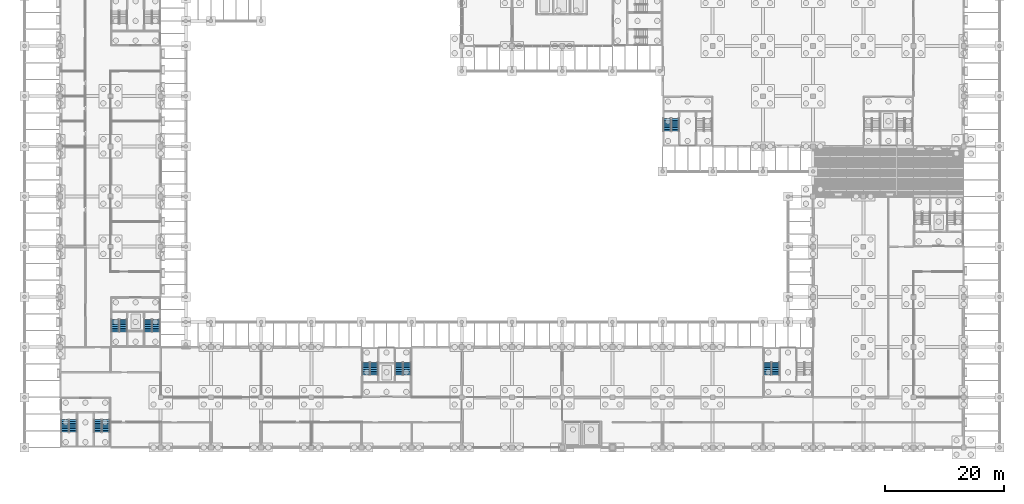
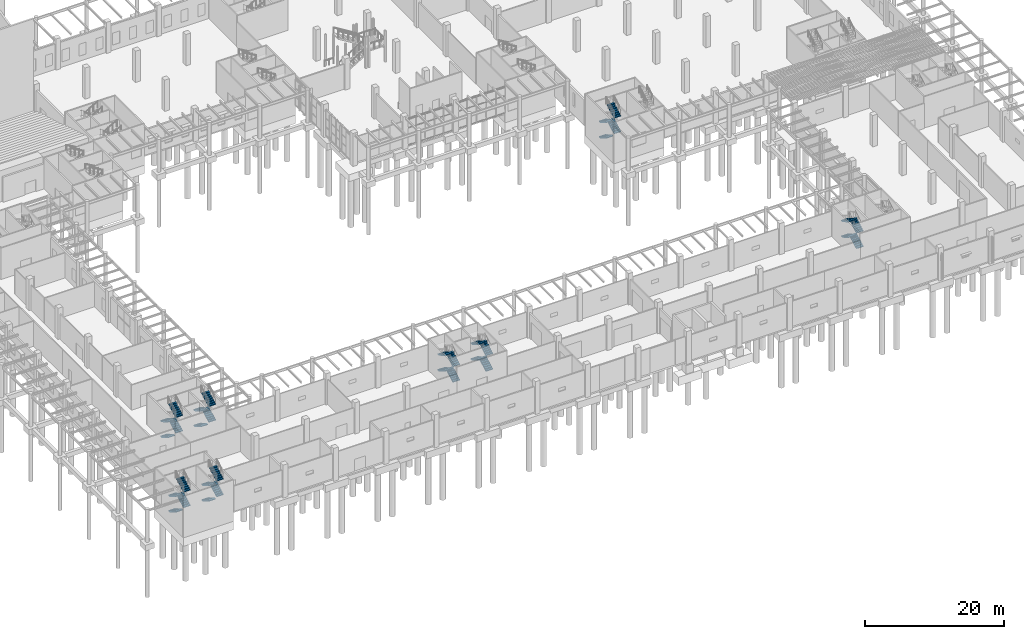
# One storey, part 44 of 82: 32 stair flights, 8 elements without a shape of their own.
"""IFC4 building model written with IfcOpenShell, lengths in metres."""

from ifc_helpers import new_model, si_unit, direction, frame, origin, place, context, subcontext, project, spatial, polyline, outline, extrude, material, type_object, element, aggregate, save


model = new_model("IFC4")

# Units and contexts
model_context = context("Model", 3, precision=1e-05, world=origin(), true_north=direction((0.0, 1.0)))
body_context = subcontext(model_context, "Body", "Model", "MODEL_VIEW")
ifc_project = project(units=[si_unit("LENGTHUNIT", "METRE"), si_unit("AREAUNIT", "SQUARE_METRE"), si_unit("VOLUMEUNIT", "CUBIC_METRE"), si_unit("PLANEANGLEUNIT", "RADIAN"), si_unit("MASSUNIT", "GRAM", prefix="KILO")], contexts=[model_context])

# Site, building, storey
site_placement = place(None, origin())
site = spatial("IfcSite", under=ifc_project, at=site_placement, CompositionType="ELEMENT")
building_placement = place(site_placement, origin())
building = spatial("IfcBuilding", under=site, at=building_placement, Name="Almond Square Museum", CompositionType="ELEMENT")
storey_placement = place(building_placement, origin())
storey = spatial("IfcBuildingStorey", under=building, at=storey_placement, Name="L00", CompositionType="ELEMENT", Elevation=0.0)

# Stair, stair flights
ifc_material_1 = material(Name="Concrete C40/50", Category="concrete")
stair_type = type_object("IfcStairType", Name="Exit stair 32 risers of 172 mm", PredefinedType="HALF_TURN_STAIR", material=ifc_material_1)
stair_1_placement = place(storey_placement, origin())
stair_1 = element("IfcStair", 1, at=stair_1_placement, inside=storey, type_object=stair_type, Name="L00 stair H1-1", PredefinedType="HALF_TURN_STAIR")
ifc_material_2 = material(Name="Concrete C40/50", Category="concrete")
stair_flight_type = type_object("IfcStairFlightType", Name="Concrete flight", PredefinedType="STRAIGHT", material=ifc_material_2)
stair_flight_1_placement = place(storey_placement, frame((107.574951171875, 55.050048828125, 0.0), z_axis=(0.0, 0.0, 1.0), x_axis=(0.0, -1.0, 0.0)))
stair_flight_1 = element("IfcStairFlight", 2, at=stair_flight_1_placement, type_object=stair_flight_type, Name="ST-01 flight 1", NumberOfRisers=8, NumberOfTreads=7, PredefinedType="STRAIGHT", RiserHeight=0.171875, TreadLength=0.3, context=body_context, shape_type="SweptSolid", body=[
    extrude(outline(polyline([(0.0, 0.0), (0.0, 0.171875), (0.300048828125, 0.171875), (0.300048828125, 0.34375), (0.60009765625, 0.34375), (0.60009765625, 0.515625), (0.89990234375, 0.515625), (0.89990234375, 0.6875), (1.199951171875, 0.6875), (1.199951171875, 0.859375), (1.5, 0.859375), (1.5, 1.03125), (1.800048828125, 1.03125), (1.800048828125, 1.203125), (2.10009765625, 1.203125), (2.10009765625, 1.375), (2.10009765625, 1.0302734375), (0.301513671875, 0.0), (0.0, 0.0)])), frame((0.0, 0.574951171875, 0.0), z_axis=(0.0, -1.0, 0.0), x_axis=(1.0, 0.0, 0.0)), (0.0, 0.0, 1.0), 1.14990234375),
])
stair_flight_2_placement = place(storey_placement, frame((108.925048828125, 52.949951171875, 1.375), z_axis=(0.0, 0.0, 1.0), x_axis=(0.0, 1.0, 0.0)))
stair_flight_2 = element("IfcStairFlight", 3, at=stair_flight_2_placement, type_object=stair_flight_type, Name="ST-01 flight 2", NumberOfRisers=8, NumberOfTreads=7, PredefinedType="STRAIGHT", RiserHeight=0.171875, TreadLength=0.3, context=body_context, shape_type="SweptSolid", body=[
    extrude(outline(polyline([(0.0, 0.0), (0.0, 0.171875), (0.300048828125, 0.171875), (0.300048828125, 0.34375), (0.60009765625, 0.34375), (0.60009765625, 0.515625), (0.89990234375, 0.515625), (0.89990234375, 0.6875), (1.199951171875, 0.6875), (1.199951171875, 0.859375), (1.5, 0.859375), (1.5, 1.03125), (1.800048828125, 1.03125), (1.800048828125, 1.203125), (2.10009765625, 1.203125), (2.10009765625, 1.375), (2.10009765625, 1.0302734375), (0.301513671875, 0.0), (0.0, 0.0)])), frame((0.0, 0.574951171875, 0.0), z_axis=(0.0, -1.0, 0.0), x_axis=(1.0, 0.0, 0.0)), (0.0, 0.0, 1.0), 1.14990234375),
])
stair_flight_3_placement = place(storey_placement, frame((107.574951171875, 55.050048828125, 2.75), z_axis=(0.0, 0.0, 1.0), x_axis=(0.0, -1.0, 0.0)))
stair_flight_3 = element("IfcStairFlight", 4, at=stair_flight_3_placement, type_object=stair_flight_type, Name="ST-01 flight 3", NumberOfRisers=8, NumberOfTreads=7, PredefinedType="STRAIGHT", RiserHeight=0.171875, TreadLength=0.3, context=body_context, shape_type="SweptSolid", body=[
    extrude(outline(polyline([(0.0, 0.0), (0.0, 0.171875), (0.300048828125, 0.171875), (0.300048828125, 0.34375), (0.60009765625, 0.34375), (0.60009765625, 0.515625), (0.89990234375, 0.515625), (0.89990234375, 0.6875), (1.199951171875, 0.6875), (1.199951171875, 0.859375), (1.5, 0.859375), (1.5, 1.03125), (1.800048828125, 1.03125), (1.800048828125, 1.203125), (2.10009765625, 1.203125), (2.10009765625, 1.375), (2.10009765625, 1.0302734375), (0.301513671875, 0.0), (0.0, 0.0)])), frame((0.0, 0.574951171875, 0.0), z_axis=(0.0, -1.0, 0.0), x_axis=(1.0, 0.0, 0.0)), (0.0, 0.0, 1.0), 1.14990234375),
])
stair_flight_4_placement = place(storey_placement, frame((108.925048828125, 52.949951171875, 4.125), z_axis=(0.0, 0.0, 1.0), x_axis=(0.0, 1.0, 0.0)))
stair_flight_4 = element("IfcStairFlight", 5, at=stair_flight_4_placement, type_object=stair_flight_type, Name="ST-01 flight 4", NumberOfRisers=8, NumberOfTreads=7, PredefinedType="STRAIGHT", RiserHeight=0.171875, TreadLength=0.3, context=body_context, shape_type="SweptSolid", body=[
    extrude(outline(polyline([(0.0, 0.0), (0.0, 0.171875), (0.300048828125, 0.171875), (0.300048828125, 0.34375), (0.60009765625, 0.34375), (0.60009765625, 0.515625), (0.89990234375, 0.515625), (0.89990234375, 0.6875), (1.199951171875, 0.6875), (1.199951171875, 0.859375), (1.5, 0.859375), (1.5, 1.03125), (1.800048828125, 1.03125), (1.800048828125, 1.203125), (2.10009765625, 1.203125), (2.10009765625, 1.375), (2.10009765625, 1.0302734375), (0.301513671875, 0.0), (0.0, 0.0)])), frame((0.0, 0.574951171875, 0.0), z_axis=(0.0, -1.0, 0.0), x_axis=(1.0, 0.0, 0.0)), (0.0, 0.0, 1.0), 1.14990234375),
])
aggregate(stair_1, [stair_flight_1, stair_flight_2, stair_flight_3, stair_flight_4])

stair_2_placement = place(storey_placement, origin())
stair_2 = element("IfcStair", 6, at=stair_2_placement, inside=storey, type_object=stair_type, Name="L00 stair W1-1", PredefinedType="HALF_TURN_STAIR")
stair_flight_5_placement = place(storey_placement, frame((15.175048828125, 21.449951171875, 0.0), z_axis=(0.0, 0.0, 1.0), x_axis=(0.0, -1.0, 0.0)))
stair_flight_5 = element("IfcStairFlight", 7, at=stair_flight_5_placement, type_object=stair_flight_type, Name="ST-21 flight 1", NumberOfRisers=8, NumberOfTreads=7, PredefinedType="STRAIGHT", RiserHeight=0.171875, TreadLength=0.3, context=body_context, shape_type="SweptSolid", body=[
    extrude(outline(polyline([(0.0, 0.0), (0.0, 0.171875), (0.300048828125, 0.171875), (0.300048828125, 0.34375), (0.60009765625, 0.34375), (0.60009765625, 0.515625), (0.89990234375, 0.515625), (0.89990234375, 0.6875), (1.199951171875, 0.6875), (1.199951171875, 0.859375), (1.5, 0.859375), (1.5, 1.03125), (1.800048828125, 1.03125), (1.800048828125, 1.203125), (2.10009765625, 1.203125), (2.10009765625, 1.375), (2.10009765625, 1.0302734375), (0.301513671875, 0.0), (0.0, 0.0)])), frame((0.0, 0.574951171875, 0.0), z_axis=(0.0, -1.0, 0.0), x_axis=(1.0, 0.0, 0.0)), (0.0, 0.0, 1.0), 1.14990234375),
])
stair_flight_6_placement = place(storey_placement, frame((16.52490234375, 19.35009765625, 1.375), z_axis=(0.0, 0.0, 1.0), x_axis=(0.0, 1.0, 0.0)))
stair_flight_6 = element("IfcStairFlight", 8, at=stair_flight_6_placement, type_object=stair_flight_type, Name="ST-21 flight 2", NumberOfRisers=8, NumberOfTreads=7, PredefinedType="STRAIGHT", RiserHeight=0.171875, TreadLength=0.3, context=body_context, shape_type="SweptSolid", body=[
    extrude(outline(polyline([(0.0, 0.0), (0.0, 0.171875), (0.300048828125, 0.171875), (0.300048828125, 0.34375), (0.60009765625, 0.34375), (0.60009765625, 0.515625), (0.89990234375, 0.515625), (0.89990234375, 0.6875), (1.199951171875, 0.6875), (1.199951171875, 0.859375), (1.5, 0.859375), (1.5, 1.03125), (1.800048828125, 1.03125), (1.800048828125, 1.203125), (2.10009765625, 1.203125), (2.10009765625, 1.375), (2.10009765625, 1.0302734375), (0.301513671875, 0.0), (0.0, 0.0)])), frame((0.0, 0.574951171875, 0.0), z_axis=(0.0, -1.0, 0.0), x_axis=(1.0, 0.0, 0.0)), (0.0, 0.0, 1.0), 1.14990234375),
])
stair_flight_7_placement = place(storey_placement, frame((15.175048828125, 21.449951171875, 2.75), z_axis=(0.0, 0.0, 1.0), x_axis=(0.0, -1.0, 0.0)))
stair_flight_7 = element("IfcStairFlight", 9, at=stair_flight_7_placement, type_object=stair_flight_type, Name="ST-21 flight 3", NumberOfRisers=8, NumberOfTreads=7, PredefinedType="STRAIGHT", RiserHeight=0.171875, TreadLength=0.3, context=body_context, shape_type="SweptSolid", body=[
    extrude(outline(polyline([(0.0, 0.0), (0.0, 0.171875), (0.300048828125, 0.171875), (0.300048828125, 0.34375), (0.60009765625, 0.34375), (0.60009765625, 0.515625), (0.89990234375, 0.515625), (0.89990234375, 0.6875), (1.199951171875, 0.6875), (1.199951171875, 0.859375), (1.5, 0.859375), (1.5, 1.03125), (1.800048828125, 1.03125), (1.800048828125, 1.203125), (2.10009765625, 1.203125), (2.10009765625, 1.375), (2.10009765625, 1.0302734375), (0.301513671875, 0.0), (0.0, 0.0)])), frame((0.0, 0.574951171875, 0.0), z_axis=(0.0, -1.0, 0.0), x_axis=(1.0, 0.0, 0.0)), (0.0, 0.0, 1.0), 1.14990234375),
])
stair_flight_8_placement = place(storey_placement, frame((16.52490234375, 19.35009765625, 4.125), z_axis=(0.0, 0.0, 1.0), x_axis=(0.0, 1.0, 0.0)))
stair_flight_8 = element("IfcStairFlight", 10, at=stair_flight_8_placement, type_object=stair_flight_type, Name="ST-21 flight 4", NumberOfRisers=8, NumberOfTreads=7, PredefinedType="STRAIGHT", RiserHeight=0.171875, TreadLength=0.3, context=body_context, shape_type="SweptSolid", body=[
    extrude(outline(polyline([(0.0, 0.0), (0.0, 0.171875), (0.300048828125, 0.171875), (0.300048828125, 0.34375), (0.60009765625, 0.34375), (0.60009765625, 0.515625), (0.89990234375, 0.515625), (0.89990234375, 0.6875), (1.199951171875, 0.6875), (1.199951171875, 0.859375), (1.5, 0.859375), (1.5, 1.03125), (1.800048828125, 1.03125), (1.800048828125, 1.203125), (2.10009765625, 1.203125), (2.10009765625, 1.375), (2.10009765625, 1.0302734375), (0.301513671875, 0.0), (0.0, 0.0)])), frame((0.0, 0.574951171875, 0.0), z_axis=(0.0, -1.0, 0.0), x_axis=(1.0, 0.0, 0.0)), (0.0, 0.0, 1.0), 1.14990234375),
])
aggregate(stair_2, [stair_flight_5, stair_flight_6, stair_flight_7, stair_flight_8])

stair_3_placement = place(storey_placement, origin())
stair_3 = element("IfcStair", 11, at=stair_3_placement, inside=storey, type_object=stair_type, Name="L00 stair W1-2", PredefinedType="HALF_TURN_STAIR")
stair_flight_9_placement = place(storey_placement, frame((20.675048828125, 21.449951171875, 0.0), z_axis=(0.0, 0.0, 1.0), x_axis=(0.0, -1.0, 0.0)))
stair_flight_9 = element("IfcStairFlight", 12, at=stair_flight_9_placement, type_object=stair_flight_type, Name="ST-22 flight 1", NumberOfRisers=8, NumberOfTreads=7, PredefinedType="STRAIGHT", RiserHeight=0.171875, TreadLength=0.3, context=body_context, shape_type="SweptSolid", body=[
    extrude(outline(polyline([(0.0, 0.0), (0.0, 0.171875), (0.300048828125, 0.171875), (0.300048828125, 0.34375), (0.60009765625, 0.34375), (0.60009765625, 0.515625), (0.89990234375, 0.515625), (0.89990234375, 0.6875), (1.199951171875, 0.6875), (1.199951171875, 0.859375), (1.5, 0.859375), (1.5, 1.03125), (1.800048828125, 1.03125), (1.800048828125, 1.203125), (2.10009765625, 1.203125), (2.10009765625, 1.375), (2.10009765625, 1.0302734375), (0.301513671875, 0.0), (0.0, 0.0)])), frame((0.0, 0.574951171875, 0.0), z_axis=(0.0, -1.0, 0.0), x_axis=(1.0, 0.0, 0.0)), (0.0, 0.0, 1.0), 1.14990234375),
])
stair_flight_10_placement = place(storey_placement, frame((22.02490234375, 19.35009765625, 1.375), z_axis=(0.0, 0.0, 1.0), x_axis=(0.0, 1.0, 0.0)))
stair_flight_10 = element("IfcStairFlight", 13, at=stair_flight_10_placement, type_object=stair_flight_type, Name="ST-22 flight 2", NumberOfRisers=8, NumberOfTreads=7, PredefinedType="STRAIGHT", RiserHeight=0.171875, TreadLength=0.3, context=body_context, shape_type="SweptSolid", body=[
    extrude(outline(polyline([(0.0, 0.0), (0.0, 0.171875), (0.300048828125, 0.171875), (0.300048828125, 0.34375), (0.60009765625, 0.34375), (0.60009765625, 0.515625), (0.89990234375, 0.515625), (0.89990234375, 0.6875), (1.199951171875, 0.6875), (1.199951171875, 0.859375), (1.5, 0.859375), (1.5, 1.03125), (1.800048828125, 1.03125), (1.800048828125, 1.203125), (2.10009765625, 1.203125), (2.10009765625, 1.375), (2.10009765625, 1.0302734375), (0.301513671875, 0.0), (0.0, 0.0)])), frame((0.0, 0.574951171875, 0.0), z_axis=(0.0, -1.0, 0.0), x_axis=(1.0, 0.0, 0.0)), (0.0, 0.0, 1.0), 1.14990234375),
])
stair_flight_11_placement = place(storey_placement, frame((20.675048828125, 21.449951171875, 2.75), z_axis=(0.0, 0.0, 1.0), x_axis=(0.0, -1.0, 0.0)))
stair_flight_11 = element("IfcStairFlight", 14, at=stair_flight_11_placement, type_object=stair_flight_type, Name="ST-22 flight 3", NumberOfRisers=8, NumberOfTreads=7, PredefinedType="STRAIGHT", RiserHeight=0.171875, TreadLength=0.3, context=body_context, shape_type="SweptSolid", body=[
    extrude(outline(polyline([(0.0, 0.0), (0.0, 0.171875), (0.300048828125, 0.171875), (0.300048828125, 0.34375), (0.60009765625, 0.34375), (0.60009765625, 0.515625), (0.89990234375, 0.515625), (0.89990234375, 0.6875), (1.199951171875, 0.6875), (1.199951171875, 0.859375), (1.5, 0.859375), (1.5, 1.03125), (1.800048828125, 1.03125), (1.800048828125, 1.203125), (2.10009765625, 1.203125), (2.10009765625, 1.375), (2.10009765625, 1.0302734375), (0.301513671875, 0.0), (0.0, 0.0)])), frame((0.0, 0.574951171875, 0.0), z_axis=(0.0, -1.0, 0.0), x_axis=(1.0, 0.0, 0.0)), (0.0, 0.0, 1.0), 1.14990234375),
])
stair_flight_12_placement = place(storey_placement, frame((22.02490234375, 19.35009765625, 4.125), z_axis=(0.0, 0.0, 1.0), x_axis=(0.0, 1.0, 0.0)))
stair_flight_12 = element("IfcStairFlight", 15, at=stair_flight_12_placement, type_object=stair_flight_type, Name="ST-22 flight 4", NumberOfRisers=8, NumberOfTreads=7, PredefinedType="STRAIGHT", RiserHeight=0.171875, TreadLength=0.3, context=body_context, shape_type="SweptSolid", body=[
    extrude(outline(polyline([(0.0, 0.0), (0.0, 0.171875), (0.300048828125, 0.171875), (0.300048828125, 0.34375), (0.60009765625, 0.34375), (0.60009765625, 0.515625), (0.89990234375, 0.515625), (0.89990234375, 0.6875), (1.199951171875, 0.6875), (1.199951171875, 0.859375), (1.5, 0.859375), (1.5, 1.03125), (1.800048828125, 1.03125), (1.800048828125, 1.203125), (2.10009765625, 1.203125), (2.10009765625, 1.375), (2.10009765625, 1.0302734375), (0.301513671875, 0.0), (0.0, 0.0)])), frame((0.0, 0.574951171875, 0.0), z_axis=(0.0, -1.0, 0.0), x_axis=(1.0, 0.0, 0.0)), (0.0, 0.0, 1.0), 1.14990234375),
])
aggregate(stair_3, [stair_flight_9, stair_flight_10, stair_flight_11, stair_flight_12])

stair_4_placement = place(storey_placement, origin())
stair_4 = element("IfcStair", 16, at=stair_4_placement, inside=storey, type_object=stair_type, Name="L00 stair S1-1", PredefinedType="HALF_TURN_STAIR")
stair_flight_13_placement = place(storey_placement, frame((6.77490234375, 4.64990234375, 0.0), z_axis=(0.0, 0.0, 1.0), x_axis=(0.0, -1.0, 0.0)))
stair_flight_13 = element("IfcStairFlight", 17, at=stair_flight_13_placement, type_object=stair_flight_type, Name="ST-27 flight 1", NumberOfRisers=8, NumberOfTreads=7, PredefinedType="STRAIGHT", RiserHeight=0.171875, TreadLength=0.3, context=body_context, shape_type="SweptSolid", body=[
    extrude(outline(polyline([(0.0, 0.0), (0.0, 0.171875), (0.300048828125, 0.171875), (0.300048828125, 0.34375), (0.60009765625, 0.34375), (0.60009765625, 0.515625), (0.89990234375, 0.515625), (0.89990234375, 0.6875), (1.199951171875, 0.6875), (1.199951171875, 0.859375), (1.5, 0.859375), (1.5, 1.03125), (1.800048828125, 1.03125), (1.800048828125, 1.203125), (2.10009765625, 1.203125), (2.10009765625, 1.375), (2.10009765625, 1.0302734375), (0.301513671875, 0.0), (0.0, 0.0)])), frame((0.0, 0.574951171875, 0.0), z_axis=(0.0, -1.0, 0.0), x_axis=(1.0, 0.0, 0.0)), (0.0, 0.0, 1.0), 1.14990234375),
])
stair_flight_14_placement = place(storey_placement, frame((8.125, 2.550048828125, 1.375), z_axis=(0.0, 0.0, 1.0), x_axis=(0.0, 1.0, 0.0)))
stair_flight_14 = element("IfcStairFlight", 18, at=stair_flight_14_placement, type_object=stair_flight_type, Name="ST-27 flight 2", NumberOfRisers=8, NumberOfTreads=7, PredefinedType="STRAIGHT", RiserHeight=0.171875, TreadLength=0.3, context=body_context, shape_type="SweptSolid", body=[
    extrude(outline(polyline([(0.0, 0.0), (0.0, 0.171875), (0.300048828125, 0.171875), (0.300048828125, 0.34375), (0.60009765625, 0.34375), (0.60009765625, 0.515625), (0.89990234375, 0.515625), (0.89990234375, 0.6875), (1.199951171875, 0.6875), (1.199951171875, 0.859375), (1.5, 0.859375), (1.5, 1.03125), (1.800048828125, 1.03125), (1.800048828125, 1.203125), (2.10009765625, 1.203125), (2.10009765625, 1.375), (2.10009765625, 1.0302734375), (0.301513671875, 0.0), (0.0, 0.0)])), frame((0.0, 0.574951171875, 0.0), z_axis=(0.0, -1.0, 0.0), x_axis=(1.0, 0.0, 0.0)), (0.0, 0.0, 1.0), 1.14990234375),
])
stair_flight_15_placement = place(storey_placement, frame((6.77490234375, 4.64990234375, 2.75), z_axis=(0.0, 0.0, 1.0), x_axis=(0.0, -1.0, 0.0)))
stair_flight_15 = element("IfcStairFlight", 19, at=stair_flight_15_placement, type_object=stair_flight_type, Name="ST-27 flight 3", NumberOfRisers=8, NumberOfTreads=7, PredefinedType="STRAIGHT", RiserHeight=0.171875, TreadLength=0.3, context=body_context, shape_type="SweptSolid", body=[
    extrude(outline(polyline([(0.0, 0.0), (0.0, 0.171875), (0.300048828125, 0.171875), (0.300048828125, 0.34375), (0.60009765625, 0.34375), (0.60009765625, 0.515625), (0.89990234375, 0.515625), (0.89990234375, 0.6875), (1.199951171875, 0.6875), (1.199951171875, 0.859375), (1.5, 0.859375), (1.5, 1.03125), (1.800048828125, 1.03125), (1.800048828125, 1.203125), (2.10009765625, 1.203125), (2.10009765625, 1.375), (2.10009765625, 1.0302734375), (0.301513671875, 0.0), (0.0, 0.0)])), frame((0.0, 0.574951171875, 0.0), z_axis=(0.0, -1.0, 0.0), x_axis=(1.0, 0.0, 0.0)), (0.0, 0.0, 1.0), 1.14990234375),
])
stair_flight_16_placement = place(storey_placement, frame((8.125, 2.550048828125, 4.125), z_axis=(0.0, 0.0, 1.0), x_axis=(0.0, 1.0, 0.0)))
stair_flight_16 = element("IfcStairFlight", 20, at=stair_flight_16_placement, type_object=stair_flight_type, Name="ST-27 flight 4", NumberOfRisers=8, NumberOfTreads=7, PredefinedType="STRAIGHT", RiserHeight=0.171875, TreadLength=0.3, context=body_context, shape_type="SweptSolid", body=[
    extrude(outline(polyline([(0.0, 0.0), (0.0, 0.171875), (0.300048828125, 0.171875), (0.300048828125, 0.34375), (0.60009765625, 0.34375), (0.60009765625, 0.515625), (0.89990234375, 0.515625), (0.89990234375, 0.6875), (1.199951171875, 0.6875), (1.199951171875, 0.859375), (1.5, 0.859375), (1.5, 1.03125), (1.800048828125, 1.03125), (1.800048828125, 1.203125), (2.10009765625, 1.203125), (2.10009765625, 1.375), (2.10009765625, 1.0302734375), (0.301513671875, 0.0), (0.0, 0.0)])), frame((0.0, 0.574951171875, 0.0), z_axis=(0.0, -1.0, 0.0), x_axis=(1.0, 0.0, 0.0)), (0.0, 0.0, 1.0), 1.14990234375),
])
aggregate(stair_4, [stair_flight_13, stair_flight_14, stair_flight_15, stair_flight_16])

stair_5_placement = place(storey_placement, origin())
stair_5 = element("IfcStair", 21, at=stair_5_placement, inside=storey, type_object=stair_type, Name="L00 stair S1-2", PredefinedType="HALF_TURN_STAIR")
stair_flight_17_placement = place(storey_placement, frame((12.27490234375, 4.64990234375, 0.0), z_axis=(0.0, 0.0, 1.0), x_axis=(0.0, -1.0, 0.0)))
stair_flight_17 = element("IfcStairFlight", 22, at=stair_flight_17_placement, type_object=stair_flight_type, Name="ST-28 flight 1", NumberOfRisers=8, NumberOfTreads=7, PredefinedType="STRAIGHT", RiserHeight=0.171875, TreadLength=0.3, context=body_context, shape_type="SweptSolid", body=[
    extrude(outline(polyline([(0.0, 0.0), (0.0, 0.171875), (0.300048828125, 0.171875), (0.300048828125, 0.34375), (0.60009765625, 0.34375), (0.60009765625, 0.515625), (0.89990234375, 0.515625), (0.89990234375, 0.6875), (1.199951171875, 0.6875), (1.199951171875, 0.859375), (1.5, 0.859375), (1.5, 1.03125), (1.800048828125, 1.03125), (1.800048828125, 1.203125), (2.10009765625, 1.203125), (2.10009765625, 1.375), (2.10009765625, 1.0302734375), (0.301513671875, 0.0), (0.0, 0.0)])), frame((0.0, 0.574951171875, 0.0), z_axis=(0.0, -1.0, 0.0), x_axis=(1.0, 0.0, 0.0)), (0.0, 0.0, 1.0), 1.14990234375),
])
stair_flight_18_placement = place(storey_placement, frame((13.625, 2.550048828125, 1.375), z_axis=(0.0, 0.0, 1.0), x_axis=(0.0, 1.0, 0.0)))
stair_flight_18 = element("IfcStairFlight", 23, at=stair_flight_18_placement, type_object=stair_flight_type, Name="ST-28 flight 2", NumberOfRisers=8, NumberOfTreads=7, PredefinedType="STRAIGHT", RiserHeight=0.171875, TreadLength=0.3, context=body_context, shape_type="SweptSolid", body=[
    extrude(outline(polyline([(0.0, 0.0), (0.0, 0.171875), (0.300048828125, 0.171875), (0.300048828125, 0.34375), (0.60009765625, 0.34375), (0.60009765625, 0.515625), (0.89990234375, 0.515625), (0.89990234375, 0.6875), (1.199951171875, 0.6875), (1.199951171875, 0.859375), (1.5, 0.859375), (1.5, 1.03125), (1.800048828125, 1.03125), (1.800048828125, 1.203125), (2.10009765625, 1.203125), (2.10009765625, 1.375), (2.10009765625, 1.0302734375), (0.301513671875, 0.0), (0.0, 0.0)])), frame((0.0, 0.574951171875, 0.0), z_axis=(0.0, -1.0, 0.0), x_axis=(1.0, 0.0, 0.0)), (0.0, 0.0, 1.0), 1.14990234375),
])
stair_flight_19_placement = place(storey_placement, frame((12.27490234375, 4.64990234375, 2.75), z_axis=(0.0, 0.0, 1.0), x_axis=(0.0, -1.0, 0.0)))
stair_flight_19 = element("IfcStairFlight", 24, at=stair_flight_19_placement, type_object=stair_flight_type, Name="ST-28 flight 3", NumberOfRisers=8, NumberOfTreads=7, PredefinedType="STRAIGHT", RiserHeight=0.171875, TreadLength=0.3, context=body_context, shape_type="SweptSolid", body=[
    extrude(outline(polyline([(0.0, 0.0), (0.0, 0.171875), (0.300048828125, 0.171875), (0.300048828125, 0.34375), (0.60009765625, 0.34375), (0.60009765625, 0.515625), (0.89990234375, 0.515625), (0.89990234375, 0.6875), (1.199951171875, 0.6875), (1.199951171875, 0.859375), (1.5, 0.859375), (1.5, 1.03125), (1.800048828125, 1.03125), (1.800048828125, 1.203125), (2.10009765625, 1.203125), (2.10009765625, 1.375), (2.10009765625, 1.0302734375), (0.301513671875, 0.0), (0.0, 0.0)])), frame((0.0, 0.574951171875, 0.0), z_axis=(0.0, -1.0, 0.0), x_axis=(1.0, 0.0, 0.0)), (0.0, 0.0, 1.0), 1.14990234375),
])
stair_flight_20_placement = place(storey_placement, frame((13.625, 2.550048828125, 4.125), z_axis=(0.0, 0.0, 1.0), x_axis=(0.0, 1.0, 0.0)))
stair_flight_20 = element("IfcStairFlight", 25, at=stair_flight_20_placement, type_object=stair_flight_type, Name="ST-28 flight 4", NumberOfRisers=8, NumberOfTreads=7, PredefinedType="STRAIGHT", RiserHeight=0.171875, TreadLength=0.3, context=body_context, shape_type="SweptSolid", body=[
    extrude(outline(polyline([(0.0, 0.0), (0.0, 0.171875), (0.300048828125, 0.171875), (0.300048828125, 0.34375), (0.60009765625, 0.34375), (0.60009765625, 0.515625), (0.89990234375, 0.515625), (0.89990234375, 0.6875), (1.199951171875, 0.6875), (1.199951171875, 0.859375), (1.5, 0.859375), (1.5, 1.03125), (1.800048828125, 1.03125), (1.800048828125, 1.203125), (2.10009765625, 1.203125), (2.10009765625, 1.375), (2.10009765625, 1.0302734375), (0.301513671875, 0.0), (0.0, 0.0)])), frame((0.0, 0.574951171875, 0.0), z_axis=(0.0, -1.0, 0.0), x_axis=(1.0, 0.0, 0.0)), (0.0, 0.0, 1.0), 1.14990234375),
])
aggregate(stair_5, [stair_flight_17, stair_flight_18, stair_flight_19, stair_flight_20])

stair_6_placement = place(storey_placement, origin())
stair_6 = element("IfcStair", 26, at=stair_6_placement, inside=storey, type_object=stair_type, Name="L00 stair S2-1", PredefinedType="HALF_TURN_STAIR")
stair_flight_21_placement = place(storey_placement, frame((58.52490234375, 12.14990234375, 0.0), z_axis=(0.0, 0.0, 1.0), x_axis=(0.0, 1.0, 0.0)))
stair_flight_21 = element("IfcStairFlight", 27, at=stair_flight_21_placement, type_object=stair_flight_type, Name="ST-29 flight 1", NumberOfRisers=8, NumberOfTreads=7, PredefinedType="STRAIGHT", RiserHeight=0.171875, TreadLength=0.3, context=body_context, shape_type="SweptSolid", body=[
    extrude(outline(polyline([(0.0, 0.0), (0.0, 0.171875), (0.300048828125, 0.171875), (0.300048828125, 0.34375), (0.60009765625, 0.34375), (0.60009765625, 0.515625), (0.89990234375, 0.515625), (0.89990234375, 0.6875), (1.199951171875, 0.6875), (1.199951171875, 0.859375), (1.5, 0.859375), (1.5, 1.03125), (1.800048828125, 1.03125), (1.800048828125, 1.203125), (2.10009765625, 1.203125), (2.10009765625, 1.375), (2.10009765625, 1.0302734375), (0.301513671875, 0.0), (0.0, 0.0)])), frame((0.0, 0.574951171875, 0.0), z_axis=(0.0, -1.0, 0.0), x_axis=(1.0, 0.0, 0.0)), (0.0, 0.0, 1.0), 1.14990234375),
])
stair_flight_22_placement = place(storey_placement, frame((57.175048828125, 14.25, 1.375), z_axis=(0.0, 0.0, 1.0), x_axis=(0.0, -1.0, 0.0)))
stair_flight_22 = element("IfcStairFlight", 28, at=stair_flight_22_placement, type_object=stair_flight_type, Name="ST-29 flight 2", NumberOfRisers=8, NumberOfTreads=7, PredefinedType="STRAIGHT", RiserHeight=0.171875, TreadLength=0.3, context=body_context, shape_type="SweptSolid", body=[
    extrude(outline(polyline([(0.0, 0.0), (0.0, 0.171875), (0.300048828125, 0.171875), (0.300048828125, 0.34375), (0.60009765625, 0.34375), (0.60009765625, 0.515625), (0.89990234375, 0.515625), (0.89990234375, 0.6875), (1.199951171875, 0.6875), (1.199951171875, 0.859375), (1.5, 0.859375), (1.5, 1.03125), (1.800048828125, 1.03125), (1.800048828125, 1.203125), (2.10009765625, 1.203125), (2.10009765625, 1.375), (2.10009765625, 1.0302734375), (0.301513671875, 0.0), (0.0, 0.0)])), frame((0.0, 0.574951171875, 0.0), z_axis=(0.0, -1.0, 0.0), x_axis=(1.0, 0.0, 0.0)), (0.0, 0.0, 1.0), 1.14990234375),
])
stair_flight_23_placement = place(storey_placement, frame((58.52490234375, 12.14990234375, 2.75), z_axis=(0.0, 0.0, 1.0), x_axis=(0.0, 1.0, 0.0)))
stair_flight_23 = element("IfcStairFlight", 29, at=stair_flight_23_placement, type_object=stair_flight_type, Name="ST-29 flight 3", NumberOfRisers=8, NumberOfTreads=7, PredefinedType="STRAIGHT", RiserHeight=0.171875, TreadLength=0.3, context=body_context, shape_type="SweptSolid", body=[
    extrude(outline(polyline([(0.0, 0.0), (0.0, 0.171875), (0.300048828125, 0.171875), (0.300048828125, 0.34375), (0.60009765625, 0.34375), (0.60009765625, 0.515625), (0.89990234375, 0.515625), (0.89990234375, 0.6875), (1.199951171875, 0.6875), (1.199951171875, 0.859375), (1.5, 0.859375), (1.5, 1.03125), (1.800048828125, 1.03125), (1.800048828125, 1.203125), (2.10009765625, 1.203125), (2.10009765625, 1.375), (2.10009765625, 1.0302734375), (0.301513671875, 0.0), (0.0, 0.0)])), frame((0.0, 0.574951171875, 0.0), z_axis=(0.0, -1.0, 0.0), x_axis=(1.0, 0.0, 0.0)), (0.0, 0.0, 1.0), 1.14990234375),
])
stair_flight_24_placement = place(storey_placement, frame((57.175048828125, 14.25, 4.125), z_axis=(0.0, 0.0, 1.0), x_axis=(0.0, -1.0, 0.0)))
stair_flight_24 = element("IfcStairFlight", 30, at=stair_flight_24_placement, type_object=stair_flight_type, Name="ST-29 flight 4", NumberOfRisers=8, NumberOfTreads=7, PredefinedType="STRAIGHT", RiserHeight=0.171875, TreadLength=0.3, context=body_context, shape_type="SweptSolid", body=[
    extrude(outline(polyline([(0.0, 0.0), (0.0, 0.171875), (0.300048828125, 0.171875), (0.300048828125, 0.34375), (0.60009765625, 0.34375), (0.60009765625, 0.515625), (0.89990234375, 0.515625), (0.89990234375, 0.6875), (1.199951171875, 0.6875), (1.199951171875, 0.859375), (1.5, 0.859375), (1.5, 1.03125), (1.800048828125, 1.03125), (1.800048828125, 1.203125), (2.10009765625, 1.203125), (2.10009765625, 1.375), (2.10009765625, 1.0302734375), (0.301513671875, 0.0), (0.0, 0.0)])), frame((0.0, 0.574951171875, 0.0), z_axis=(0.0, -1.0, 0.0), x_axis=(1.0, 0.0, 0.0)), (0.0, 0.0, 1.0), 1.14990234375),
])
aggregate(stair_6, [stair_flight_21, stair_flight_22, stair_flight_23, stair_flight_24])

stair_7_placement = place(storey_placement, origin())
stair_7 = element("IfcStair", 31, at=stair_7_placement, inside=storey, type_object=stair_type, Name="L00 stair S2-2", PredefinedType="HALF_TURN_STAIR")
stair_flight_25_placement = place(storey_placement, frame((64.02490234375, 12.14990234375, 0.0), z_axis=(0.0, 0.0, 1.0), x_axis=(0.0, 1.0, 0.0)))
stair_flight_25 = element("IfcStairFlight", 32, at=stair_flight_25_placement, type_object=stair_flight_type, Name="ST-30 flight 1", NumberOfRisers=8, NumberOfTreads=7, PredefinedType="STRAIGHT", RiserHeight=0.171875, TreadLength=0.3, context=body_context, shape_type="SweptSolid", body=[
    extrude(outline(polyline([(0.0, 0.0), (0.0, 0.171875), (0.300048828125, 0.171875), (0.300048828125, 0.34375), (0.60009765625, 0.34375), (0.60009765625, 0.515625), (0.89990234375, 0.515625), (0.89990234375, 0.6875), (1.199951171875, 0.6875), (1.199951171875, 0.859375), (1.5, 0.859375), (1.5, 1.03125), (1.800048828125, 1.03125), (1.800048828125, 1.203125), (2.10009765625, 1.203125), (2.10009765625, 1.375), (2.10009765625, 1.0302734375), (0.301513671875, 0.0), (0.0, 0.0)])), frame((0.0, 0.574951171875, 0.0), z_axis=(0.0, -1.0, 0.0), x_axis=(1.0, 0.0, 0.0)), (0.0, 0.0, 1.0), 1.14990234375),
])
stair_flight_26_placement = place(storey_placement, frame((62.675048828125, 14.25, 1.375), z_axis=(0.0, 0.0, 1.0), x_axis=(0.0, -1.0, 0.0)))
stair_flight_26 = element("IfcStairFlight", 33, at=stair_flight_26_placement, type_object=stair_flight_type, Name="ST-30 flight 2", NumberOfRisers=8, NumberOfTreads=7, PredefinedType="STRAIGHT", RiserHeight=0.171875, TreadLength=0.3, context=body_context, shape_type="SweptSolid", body=[
    extrude(outline(polyline([(0.0, 0.0), (0.0, 0.171875), (0.300048828125, 0.171875), (0.300048828125, 0.34375), (0.60009765625, 0.34375), (0.60009765625, 0.515625), (0.89990234375, 0.515625), (0.89990234375, 0.6875), (1.199951171875, 0.6875), (1.199951171875, 0.859375), (1.5, 0.859375), (1.5, 1.03125), (1.800048828125, 1.03125), (1.800048828125, 1.203125), (2.10009765625, 1.203125), (2.10009765625, 1.375), (2.10009765625, 1.0302734375), (0.301513671875, 0.0), (0.0, 0.0)])), frame((0.0, 0.574951171875, 0.0), z_axis=(0.0, -1.0, 0.0), x_axis=(1.0, 0.0, 0.0)), (0.0, 0.0, 1.0), 1.14990234375),
])
stair_flight_27_placement = place(storey_placement, frame((64.02490234375, 12.14990234375, 2.75), z_axis=(0.0, 0.0, 1.0), x_axis=(0.0, 1.0, 0.0)))
stair_flight_27 = element("IfcStairFlight", 34, at=stair_flight_27_placement, type_object=stair_flight_type, Name="ST-30 flight 3", NumberOfRisers=8, NumberOfTreads=7, PredefinedType="STRAIGHT", RiserHeight=0.171875, TreadLength=0.3, context=body_context, shape_type="SweptSolid", body=[
    extrude(outline(polyline([(0.0, 0.0), (0.0, 0.171875), (0.300048828125, 0.171875), (0.300048828125, 0.34375), (0.60009765625, 0.34375), (0.60009765625, 0.515625), (0.89990234375, 0.515625), (0.89990234375, 0.6875), (1.199951171875, 0.6875), (1.199951171875, 0.859375), (1.5, 0.859375), (1.5, 1.03125), (1.800048828125, 1.03125), (1.800048828125, 1.203125), (2.10009765625, 1.203125), (2.10009765625, 1.375), (2.10009765625, 1.0302734375), (0.301513671875, 0.0), (0.0, 0.0)])), frame((0.0, 0.574951171875, 0.0), z_axis=(0.0, -1.0, 0.0), x_axis=(1.0, 0.0, 0.0)), (0.0, 0.0, 1.0), 1.14990234375),
])
stair_flight_28_placement = place(storey_placement, frame((62.675048828125, 14.25, 4.125), z_axis=(0.0, 0.0, 1.0), x_axis=(0.0, -1.0, 0.0)))
stair_flight_28 = element("IfcStairFlight", 35, at=stair_flight_28_placement, type_object=stair_flight_type, Name="ST-30 flight 4", NumberOfRisers=8, NumberOfTreads=7, PredefinedType="STRAIGHT", RiserHeight=0.171875, TreadLength=0.3, context=body_context, shape_type="SweptSolid", body=[
    extrude(outline(polyline([(0.0, 0.0), (0.0, 0.171875), (0.300048828125, 0.171875), (0.300048828125, 0.34375), (0.60009765625, 0.34375), (0.60009765625, 0.515625), (0.89990234375, 0.515625), (0.89990234375, 0.6875), (1.199951171875, 0.6875), (1.199951171875, 0.859375), (1.5, 0.859375), (1.5, 1.03125), (1.800048828125, 1.03125), (1.800048828125, 1.203125), (2.10009765625, 1.203125), (2.10009765625, 1.375), (2.10009765625, 1.0302734375), (0.301513671875, 0.0), (0.0, 0.0)])), frame((0.0, 0.574951171875, 0.0), z_axis=(0.0, -1.0, 0.0), x_axis=(1.0, 0.0, 0.0)), (0.0, 0.0, 1.0), 1.14990234375),
])
aggregate(stair_7, [stair_flight_25, stair_flight_26, stair_flight_27, stair_flight_28])

stair_8_placement = place(storey_placement, origin())
stair_8 = element("IfcStair", 36, at=stair_8_placement, inside=storey, type_object=stair_type, Name="L00 stair S3-1", PredefinedType="HALF_TURN_STAIR")
stair_flight_29_placement = place(storey_placement, frame((125.72509765625, 12.14990234375, 0.0), z_axis=(0.0, 0.0, 1.0), x_axis=(0.0, 1.0, 0.0)))
stair_flight_29 = element("IfcStairFlight", 37, at=stair_flight_29_placement, type_object=stair_flight_type, Name="ST-31 flight 1", NumberOfRisers=8, NumberOfTreads=7, PredefinedType="STRAIGHT", RiserHeight=0.171875, TreadLength=0.3, context=body_context, shape_type="SweptSolid", body=[
    extrude(outline(polyline([(0.0, 0.0), (0.0, 0.171875), (0.300048828125, 0.171875), (0.300048828125, 0.34375), (0.60009765625, 0.34375), (0.60009765625, 0.515625), (0.89990234375, 0.515625), (0.89990234375, 0.6875), (1.199951171875, 0.6875), (1.199951171875, 0.859375), (1.5, 0.859375), (1.5, 1.03125), (1.800048828125, 1.03125), (1.800048828125, 1.203125), (2.10009765625, 1.203125), (2.10009765625, 1.375), (2.10009765625, 1.0302734375), (0.301513671875, 0.0), (0.0, 0.0)])), frame((0.0, 0.574951171875, 0.0), z_axis=(0.0, -1.0, 0.0), x_axis=(1.0, 0.0, 0.0)), (0.0, 0.0, 1.0), 1.14990234375),
])
stair_flight_30_placement = place(storey_placement, frame((124.375, 14.25, 1.375), z_axis=(0.0, 0.0, 1.0), x_axis=(0.0, -1.0, 0.0)))
stair_flight_30 = element("IfcStairFlight", 38, at=stair_flight_30_placement, type_object=stair_flight_type, Name="ST-31 flight 2", NumberOfRisers=8, NumberOfTreads=7, PredefinedType="STRAIGHT", RiserHeight=0.171875, TreadLength=0.3, context=body_context, shape_type="SweptSolid", body=[
    extrude(outline(polyline([(0.0, 0.0), (0.0, 0.171875), (0.300048828125, 0.171875), (0.300048828125, 0.34375), (0.60009765625, 0.34375), (0.60009765625, 0.515625), (0.89990234375, 0.515625), (0.89990234375, 0.6875), (1.199951171875, 0.6875), (1.199951171875, 0.859375), (1.5, 0.859375), (1.5, 1.03125), (1.800048828125, 1.03125), (1.800048828125, 1.203125), (2.10009765625, 1.203125), (2.10009765625, 1.375), (2.10009765625, 1.0302734375), (0.301513671875, 0.0), (0.0, 0.0)])), frame((0.0, 0.574951171875, 0.0), z_axis=(0.0, -1.0, 0.0), x_axis=(1.0, 0.0, 0.0)), (0.0, 0.0, 1.0), 1.14990234375),
])
stair_flight_31_placement = place(storey_placement, frame((125.72509765625, 12.14990234375, 2.75), z_axis=(0.0, 0.0, 1.0), x_axis=(0.0, 1.0, 0.0)))
stair_flight_31 = element("IfcStairFlight", 39, at=stair_flight_31_placement, type_object=stair_flight_type, Name="ST-31 flight 3", NumberOfRisers=8, NumberOfTreads=7, PredefinedType="STRAIGHT", RiserHeight=0.171875, TreadLength=0.3, context=body_context, shape_type="SweptSolid", body=[
    extrude(outline(polyline([(0.0, 0.0), (0.0, 0.171875), (0.300048828125, 0.171875), (0.300048828125, 0.34375), (0.60009765625, 0.34375), (0.60009765625, 0.515625), (0.89990234375, 0.515625), (0.89990234375, 0.6875), (1.199951171875, 0.6875), (1.199951171875, 0.859375), (1.5, 0.859375), (1.5, 1.03125), (1.800048828125, 1.03125), (1.800048828125, 1.203125), (2.10009765625, 1.203125), (2.10009765625, 1.375), (2.10009765625, 1.0302734375), (0.301513671875, 0.0), (0.0, 0.0)])), frame((0.0, 0.574951171875, 0.0), z_axis=(0.0, -1.0, 0.0), x_axis=(1.0, 0.0, 0.0)), (0.0, 0.0, 1.0), 1.14990234375),
])
stair_flight_32_placement = place(storey_placement, frame((124.375, 14.25, 4.125), z_axis=(0.0, 0.0, 1.0), x_axis=(0.0, -1.0, 0.0)))
stair_flight_32 = element("IfcStairFlight", 40, at=stair_flight_32_placement, type_object=stair_flight_type, Name="ST-31 flight 4", NumberOfRisers=8, NumberOfTreads=7, PredefinedType="STRAIGHT", RiserHeight=0.171875, TreadLength=0.3, context=body_context, shape_type="SweptSolid", body=[
    extrude(outline(polyline([(0.0, 0.0), (0.0, 0.171875), (0.300048828125, 0.171875), (0.300048828125, 0.34375), (0.60009765625, 0.34375), (0.60009765625, 0.515625), (0.89990234375, 0.515625), (0.89990234375, 0.6875), (1.199951171875, 0.6875), (1.199951171875, 0.859375), (1.5, 0.859375), (1.5, 1.03125), (1.800048828125, 1.03125), (1.800048828125, 1.203125), (2.10009765625, 1.203125), (2.10009765625, 1.375), (2.10009765625, 1.0302734375), (0.301513671875, 0.0), (0.0, 0.0)])), frame((0.0, 0.574951171875, 0.0), z_axis=(0.0, -1.0, 0.0), x_axis=(1.0, 0.0, 0.0)), (0.0, 0.0, 1.0), 1.14990234375),
])
aggregate(stair_8, [stair_flight_29, stair_flight_30, stair_flight_31, stair_flight_32])

save(model, "model.ifc")
